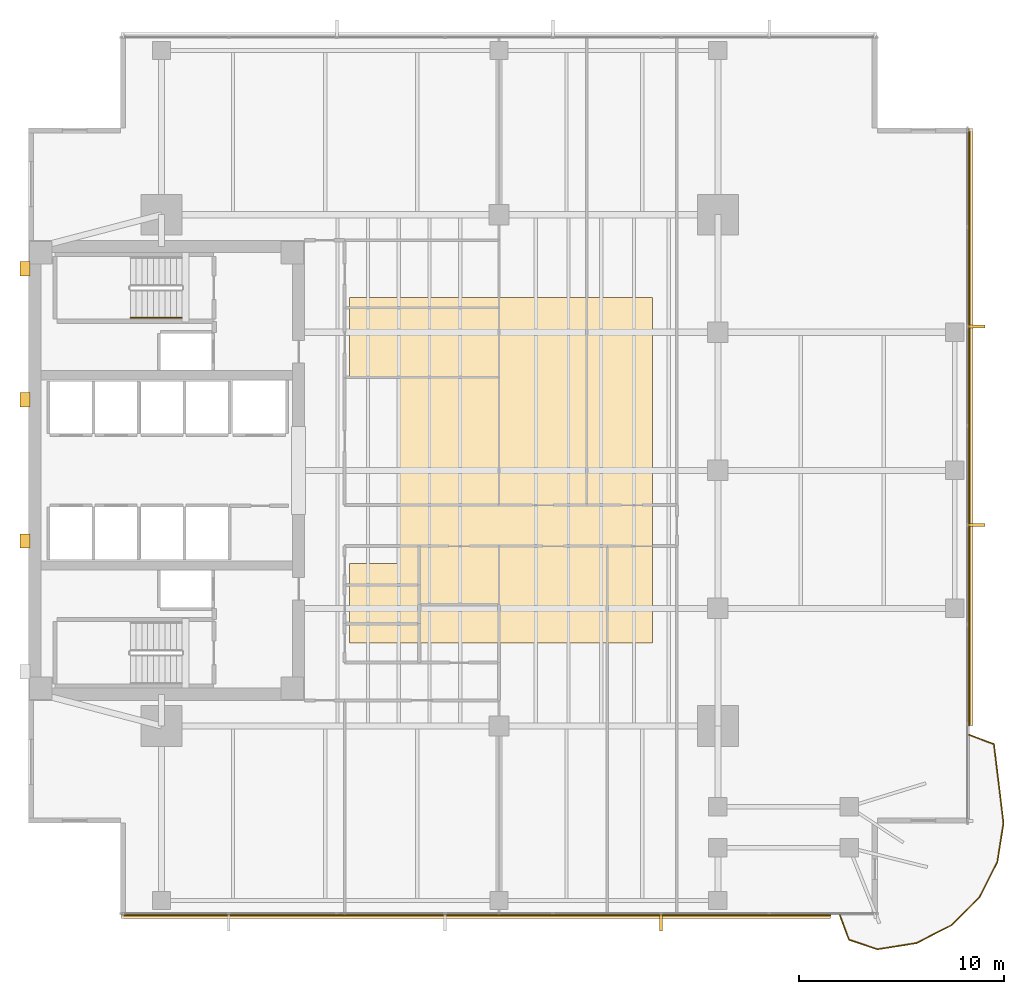
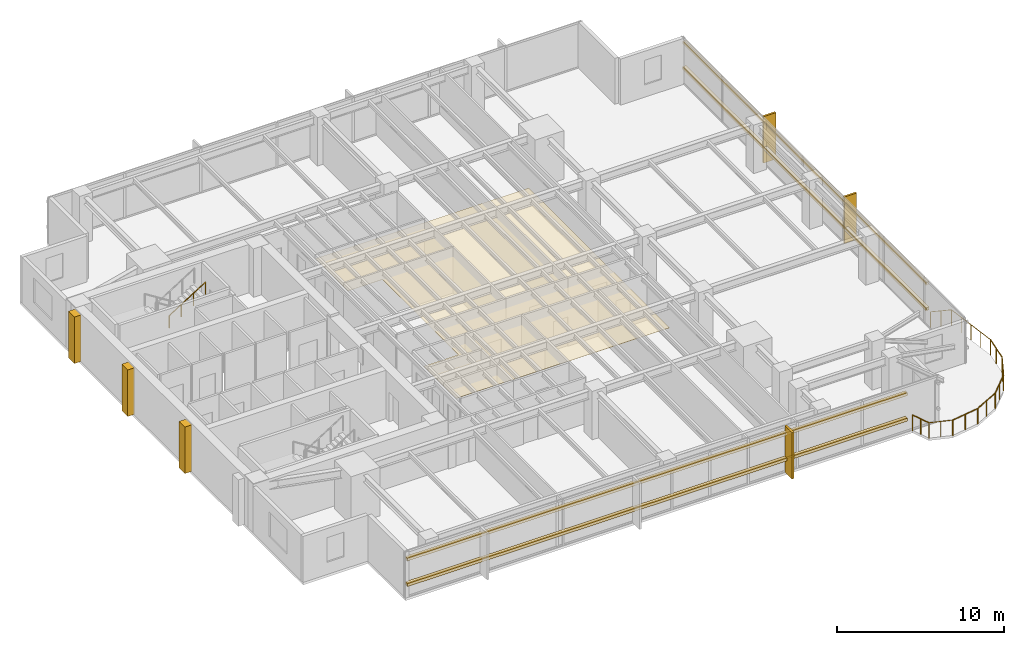
# One storey, part 12 of 14: 11 coverings, 10 railings, 4 shading devices.
"""IFC4 building model written with IfcOpenShell, lengths in metres."""

from ifc_helpers import new_model, si_unit, direction, frame, origin, origin_2d, place, context, subcontext, project, spatial, polyline, rectangle, circle, outline, extrude, material, layer, layer_set, material_profile, profile_set, type_object, element, save


model = new_model("IFC4")

# Units and contexts
model_context = context("Model", 3, precision=1e-05, world=origin(), true_north=direction((0.0, 1.0)))
body_context = subcontext(model_context, "Body", "Model", "MODEL_VIEW")
ifc_project = project(units=[si_unit("LENGTHUNIT", "METRE"), si_unit("AREAUNIT", "SQUARE_METRE"), si_unit("VOLUMEUNIT", "CUBIC_METRE"), si_unit("PLANEANGLEUNIT", "RADIAN"), si_unit("MASSUNIT", "GRAM", prefix="KILO")], contexts=[model_context])

# Site, building, storey
site_placement = place(None, origin())
site = spatial("IfcSite", under=ifc_project, at=site_placement, CompositionType="ELEMENT")
building_placement = place(site_placement, origin())
building = spatial("IfcBuilding", under=site, at=building_placement, Name="Kinhvarn Gate Tower", CompositionType="ELEMENT")
storey_placement = place(building_placement, frame((0.0, 0.0, 127.10009765625)))
storey = spatial("IfcBuildingStorey", under=building, at=storey_placement, Name="L33", CompositionType="ELEMENT", Elevation=127.10009765625)

# Coverings
ifc_material_1 = material(Name="Fired architectural terracotta", Category="masonry")
ifc_layer_1 = layer(ifc_material_1, 0.239990234375)
ifc_layer_set_1 = layer_set([ifc_layer_1], Name="Fired architectural terracotta")
covering_type_1 = type_object("IfcCoveringType", Name="COV-BAG-220", PredefinedType="CLADDING", material=ifc_layer_set_1)
for number, where, name in (
    (1, (0.0, 0.0, 0.93994140625), "Terracotta Horizontal Sunscreen Band TBG-220 (L33)"),
    (2, (0.0, 0.0, 2.809814453125), "Terracotta Horizontal Sunscreen Band TBG-220 (L33)"),
):
    element("IfcCovering", number, at=place(storey_placement, frame(where)), inside=storey, type_object=covering_type_1, Name=name, PredefinedType="CLADDING", context=body_context, shape_type="SweptSolid", body=[
        extrude(outline(polyline([(9.0400390625, 3.570068359375), (43.714111328125, 3.570068359375), (43.714111328125, 3.330078125), (9.0400390625, 3.330078125), (9.0400390625, 3.570068359375)])), origin(), (0.0, 0.0, 1.0), 0.219970703125),
    ])
for number, where, name in (
    (3, (0.0, 0.0, 0.93994140625), "Terracotta Horizontal Sunscreen Band TBG-220 (L33)"),
    (4, (0.0, 0.0, 2.809814453125), "Terracotta Horizontal Sunscreen Band TBG-220 (L33)"),
):
    element("IfcCovering", number, at=place(storey_placement, frame(where)), inside=storey, type_object=covering_type_1, Name=name, PredefinedType="CLADDING", context=body_context, shape_type="SweptSolid", body=[
        extrude(outline(polyline([(50.429931640625, 12.763916015625), (50.429931640625, 41.9599609375), (50.669921875, 41.9599609375), (50.669921875, 12.763916015625), (50.429931640625, 12.763916015625)])), origin(), (0.0, 0.0, 1.0), 0.219970703125),
    ])
ifc_material_2 = material(Name="Mineral-fibre acoustic ceiling tile")
ifc_layer_2 = layer(ifc_material_2, 0.02001953125)
ifc_layer_set_2 = layer_set([ifc_layer_2], Name="Mineral-fibre acoustic ceiling tile")
covering_type_2 = type_object("IfcCoveringType", Name="COV-CEIL-20", PredefinedType="CEILING", material=ifc_layer_set_2)
covering_1_placement = place(storey_placement, frame((0.0, 0.0, 2.64990234375)))
element("IfcCovering", 5, at=covering_1_placement, inside=storey, type_object=covering_type_2, Name="Suspended Acoustic Ceiling Tile (L33-1)", PredefinedType="CEILING", context=body_context, shape_type="SweptSolid", body=[
    extrude(outline(polyline([(35.0, 33.699951171875), (35.0, 16.800048828125), (20.199951171875, 16.800048828125), (20.199951171875, 20.699951171875), (22.60009765625, 20.699951171875), (22.60009765625, 29.800048828125), (20.199951171875, 29.800048828125), (20.199951171875, 33.699951171875), (35.0, 33.699951171875)])), origin(), (0.0, 0.0, 1.0), 0.02001953125),
])
ifc_layer_3 = layer(ifc_material_1, 0.139892578125)
ifc_layer_set_3 = layer_set([ifc_layer_3], Name="Fired architectural terracotta")
covering_type_3 = type_object("IfcCoveringType", Name="COV-FIN-850", PredefinedType="CLADDING", material=ifc_layer_set_3)
covering_2_placement = place(storey_placement, frame((0.0, 0.0, -0.02001953125)))
element("IfcCovering", 6, at=covering_2_placement, inside=storey, type_object=covering_type_3, Name="Vertical Terracotta Expressive Fin TFN-850 (L33)", PredefinedType="CLADDING", context=body_context, shape_type="SweptSolid", body=[
    extrude(outline(polyline([(35.358642578125, 3.580078125), (35.49853515625, 3.580078125), (35.49853515625, 2.72998046875), (35.358642578125, 2.72998046875), (35.358642578125, 3.580078125)])), origin(), (0.0, 0.0, 1.0), 3.409912109375),
])
covering_3_placement = place(storey_placement, frame((0.0, 0.0, -0.02001953125)))
element("IfcCovering", 7, at=covering_3_placement, inside=storey, type_object=covering_type_3, Name="Vertical Terracotta Expressive Fin TFN-850 (L33)", PredefinedType="CLADDING", context=body_context, shape_type="SweptSolid", body=[
    extrude(outline(polyline([(50.419921875, 22.50146484375), (50.419921875, 22.641357421875), (51.27001953125, 22.641357421875), (51.27001953125, 22.50146484375), (50.419921875, 22.50146484375)])), origin(), (0.0, 0.0, 1.0), 3.409912109375),
])
covering_4_placement = place(storey_placement, frame((0.0, 0.0, -0.02001953125)))
element("IfcCovering", 8, at=covering_4_placement, inside=storey, type_object=covering_type_3, Name="Vertical Terracotta Expressive Fin TFN-850 (L33)", PredefinedType="CLADDING", context=body_context, shape_type="SweptSolid", body=[
    extrude(outline(polyline([(50.419921875, 32.2158203125), (50.419921875, 32.355712890625), (51.27001953125, 32.355712890625), (51.27001953125, 32.2158203125), (50.419921875, 32.2158203125)])), origin(), (0.0, 0.0, 1.0), 3.409912109375),
])
ifc_material_3 = material(Name="Precast white architectural concrete C40/50", Category="concrete")
ifc_layer_4 = layer(ifc_material_3, 0.47998046875)
ifc_layer_set_4 = layer_set([ifc_layer_4], Name="Precast white architectural concrete C40/50")
covering_type_4 = type_object("IfcCoveringType", Name="COV-RIB-450", PredefinedType="CLADDING", material=ifc_layer_set_4)
covering_5_placement = place(storey_placement, frame((0.0, 0.0, -0.02001953125)))
element("IfcCovering", 9, at=covering_5_placement, inside=storey, type_object=covering_type_4, Name="West Core Sculptural Concrete Relief Rib CRB-450 (L33)", PredefinedType="CLADDING", context=body_context, shape_type="SweptSolid", body=[
    extrude(outline(polyline([(4.080078125, 21.449951171875), (4.56005859375, 21.449951171875), (4.56005859375, 22.14990234375), (4.080078125, 22.14990234375), (4.080078125, 21.449951171875)])), origin(), (0.0, 0.0, 1.0), 3.409912109375),
])
covering_6_placement = place(storey_placement, frame((0.0, 0.0, -0.02001953125)))
element("IfcCovering", 10, at=covering_6_placement, inside=storey, type_object=covering_type_4, Name="West Core Sculptural Concrete Relief Rib CRB-450 (L33)", PredefinedType="CLADDING", context=body_context, shape_type="SweptSolid", body=[
    extrude(outline(polyline([(4.080078125, 28.35009765625), (4.56005859375, 28.35009765625), (4.56005859375, 29.050048828125), (4.080078125, 29.050048828125), (4.080078125, 28.35009765625)])), origin(), (0.0, 0.0, 1.0), 3.409912109375),
])
covering_7_placement = place(storey_placement, frame((0.0, 0.0, -0.02001953125)))
element("IfcCovering", 11, at=covering_7_placement, inside=storey, type_object=covering_type_4, Name="West Core Sculptural Concrete Relief Rib CRB-450 (L33)", PredefinedType="CLADDING", context=body_context, shape_type="SweptSolid", body=[
    extrude(outline(polyline([(4.080078125, 34.75), (4.56005859375, 34.75), (4.56005859375, 35.449951171875), (4.080078125, 35.449951171875), (4.080078125, 34.75)])), origin(), (0.0, 0.0, 1.0), 3.409912109375),
])

# Railings
ifc_material_4 = material(Name="Clear low-e double glazing", Category="glass")
railing_type_1 = type_object("IfcRailingType", Name="RL-BAL-1150", PredefinedType="BALUSTRADE", material=ifc_material_4)
railing_1_placement = place(storey_placement, frame((44.1640625, 3.5, 0.0)))
element("IfcRailing", 12, at=railing_1_placement, inside=storey, type_object=railing_type_1, Name="S-Carve Balcony Guardrail Seg 1 (L33)", PredefinedType="BALUSTRADE", context=body_context, shape_type="SweptSolid", body=[
    extrude(circle(Radius=0.02392578125, at=origin_2d()), frame((0.0, 0.0, 1.1259765625), z_axis=(0.350664670144, -0.936501088687, 0.0), x_axis=(0.936501088687, 0.350664670144, 0.0)), (0.0, 0.0, 1.0), 1.283203125),
    extrude(circle(Radius=0.02099609375, at=origin_2d()), origin(), (0.0, 0.0, 1.0), 1.101806640625),
    extrude(circle(Radius=0.02099609375, at=origin_2d()), frame((0.22509765625, -0.600830078125, 0.0)), (0.0, 0.0, 1.0), 1.101806640625),
    extrude(circle(Radius=0.02099609375, at=origin_2d()), frame((0.449951171875, -1.20166015625, 0.0)), (0.0, 0.0, 1.0), 1.101806640625),
])
railing_2_placement = place(storey_placement, frame((44.614013671875, 2.29833984375, 0.0)))
element("IfcRailing", 13, at=railing_2_placement, inside=storey, type_object=railing_type_1, Name="S-Carve Balcony Guardrail Seg 2 (L33)", PredefinedType="BALUSTRADE", context=body_context, shape_type="SweptSolid", body=[
    extrude(circle(Radius=0.02392578125, at=origin_2d()), frame((0.0, 0.0, 1.1259765625), z_axis=(0.947592748159, -0.319480803237, 0.0), x_axis=(0.319480803237, 0.947592748159, 0.0)), (0.0, 0.0, 1.0), 1.462646484375),
    extrude(circle(Radius=0.02099609375, at=origin_2d()), origin(), (0.0, 0.0, 1.0), 1.101806640625),
    extrude(circle(Radius=0.02099609375, at=origin_2d()), frame((0.69287109375, -0.233642578125, 0.0)), (0.0, 0.0, 1.0), 1.101806640625),
    extrude(circle(Radius=0.02099609375, at=origin_2d()), frame((1.385986328125, -0.46728515625, 0.0)), (0.0, 0.0, 1.0), 1.101806640625),
])
railing_3_placement = place(storey_placement, frame((46.0, 1.8310546875, 0.0)))
element("IfcRailing", 14, at=railing_3_placement, inside=storey, type_object=railing_type_1, Name="S-Carve Balcony Guardrail Seg 3 (L33)", PredefinedType="BALUSTRADE", context=body_context, shape_type="SweptSolid", body=[
    extrude(circle(Radius=0.02392578125, at=origin_2d()), frame((0.0, 0.0, 1.1259765625), z_axis=(0.987701348558, 0.156352313885, 0.0), x_axis=(-0.156352313885, 0.987701348558, 0.0)), (0.0, 0.0, 1.0), 1.929931640625),
    extrude(circle(Radius=0.02099609375, at=origin_2d()), origin(), (0.0, 0.0, 1.0), 1.101806640625),
    extrude(circle(Radius=0.02099609375, at=origin_2d()), frame((0.953125, 0.15087890625, 0.0)), (0.0, 0.0, 1.0), 1.101806640625),
    extrude(circle(Radius=0.02099609375, at=origin_2d()), frame((1.90625, 0.3017578125, 0.0)), (0.0, 0.0, 1.0), 1.101806640625),
])
railing_4_placement = place(storey_placement, frame((47.90625, 2.1328125, 0.0)))
element("IfcRailing", 15, at=railing_4_placement, inside=storey, type_object=railing_type_1, Name="S-Carve Balcony Guardrail Seg 4 (L33)", PredefinedType="BALUSTRADE", context=body_context, shape_type="SweptSolid", body=[
    extrude(circle(Radius=0.02392578125, at=origin_2d()), frame((0.0, 0.0, 1.1259765625), z_axis=(0.890960331875, 0.454081145859, 0.0), x_axis=(-0.454081145859, 0.890960331875, 0.0)), (0.0, 0.0, 1.0), 1.93017578125),
    extrude(circle(Radius=0.02099609375, at=origin_2d()), origin(), (0.0, 0.0, 1.0), 1.101806640625),
    extrude(circle(Radius=0.02099609375, at=origin_2d()), frame((0.85986328125, 0.438232421875, 0.0)), (0.0, 0.0, 1.0), 1.101806640625),
    extrude(circle(Radius=0.02099609375, at=origin_2d()), frame((1.7197265625, 0.87646484375, 0.0)), (0.0, 0.0, 1.0), 1.101806640625),
])
railing_5_placement = place(storey_placement, frame((49.6259765625, 3.00927734375, 0.0)))
element("IfcRailing", 16, at=railing_5_placement, inside=storey, type_object=railing_type_1, Name="S-Carve Balcony Guardrail Seg 5 (L33)", PredefinedType="BALUSTRADE", context=body_context, shape_type="SweptSolid", body=[
    extrude(circle(Radius=0.02392578125, at=origin_2d()), frame((0.0, 0.0, 1.1259765625), z_axis=(0.707106781187, 0.707106781187, 0.0), x_axis=(-0.707106781187, 0.707106781187, 0.0)), (0.0, 0.0, 1.0), 1.929931640625),
    extrude(circle(Radius=0.02099609375, at=origin_2d()), origin(), (0.0, 0.0, 1.0), 1.101806640625),
    extrude(circle(Radius=0.02099609375, at=origin_2d()), frame((0.682373046875, 0.682373046875, 0.0)), (0.0, 0.0, 1.0), 1.101806640625),
    extrude(circle(Radius=0.02099609375, at=origin_2d()), frame((1.36474609375, 1.36474609375, 0.0)), (0.0, 0.0, 1.0), 1.101806640625),
])
railing_6_placement = place(storey_placement, frame((50.99072265625, 4.3740234375, 0.0)))
element("IfcRailing", 17, at=railing_6_placement, inside=storey, type_object=railing_type_1, Name="S-Carve Balcony Guardrail Seg 6 (L33)", PredefinedType="BALUSTRADE", context=body_context, shape_type="SweptSolid", body=[
    extrude(circle(Radius=0.02392578125, at=origin_2d()), frame((0.0, 0.0, 1.1259765625), z_axis=(0.454081145859, 0.890960331875, 0.0), x_axis=(-0.890960331875, 0.454081145859, 0.0)), (0.0, 0.0, 1.0), 1.93017578125),
    extrude(circle(Radius=0.02099609375, at=origin_2d()), origin(), (0.0, 0.0, 1.0), 1.101806640625),
    extrude(circle(Radius=0.02099609375, at=origin_2d()), frame((0.438232421875, 0.85986328125, 0.0)), (0.0, 0.0, 1.0), 1.101806640625),
    extrude(circle(Radius=0.02099609375, at=origin_2d()), frame((0.87646484375, 1.7197265625, 0.0)), (0.0, 0.0, 1.0), 1.101806640625),
])
railing_7_placement = place(storey_placement, frame((51.8671875, 6.09375, 0.0)))
element("IfcRailing", 18, at=railing_7_placement, inside=storey, type_object=railing_type_1, Name="S-Carve Balcony Guardrail Seg 7 (L33)", PredefinedType="BALUSTRADE", context=body_context, shape_type="SweptSolid", body=[
    extrude(circle(Radius=0.02392578125, at=origin_2d()), frame((0.0, 0.0, 1.1259765625), z_axis=(0.156352313885, 0.987701348558, 0.0), x_axis=(-0.987701348558, 0.156352313885, 0.0)), (0.0, 0.0, 1.0), 1.929931640625),
    extrude(circle(Radius=0.02099609375, at=origin_2d()), origin(), (0.0, 0.0, 1.0), 1.101806640625),
    extrude(circle(Radius=0.02099609375, at=origin_2d()), frame((0.15087890625, 0.953125, 0.0)), (0.0, 0.0, 1.0), 1.101806640625),
    extrude(circle(Radius=0.02099609375, at=origin_2d()), frame((0.3017578125, 1.90625, 0.0)), (0.0, 0.0, 1.0), 1.101806640625),
])
railing_8_placement = place(storey_placement, frame((52.1689453125, 8.0, 0.0)))
element("IfcRailing", 19, at=railing_8_placement, inside=storey, type_object=railing_type_1, Name="S-Carve Balcony Guardrail Seg 8 (L33)", PredefinedType="BALUSTRADE", context=body_context, shape_type="SweptSolid", body=[
    extrude(circle(Radius=0.02392578125, at=origin_2d()), frame((0.0, 0.0, 1.1259765625), z_axis=(-0.120057865553, 0.99276689556, 0.0), x_axis=(-0.99276689556, -0.120057865553, 0.0)), (0.0, 0.0, 1.0), 3.89208984375),
    extrude(circle(Radius=0.02099609375, at=origin_2d()), origin(), (0.0, 0.0, 1.0), 1.101806640625),
    extrude(circle(Radius=0.02099609375, at=origin_2d()), frame((-0.11669921875, 0.966064453125, 0.0)), (0.0, 0.0, 1.0), 1.101806640625),
    extrude(circle(Radius=0.02099609375, at=origin_2d()), frame((-0.233642578125, 1.93212890625, 0.0)), (0.0, 0.0, 1.0), 1.101806640625),
    extrude(circle(Radius=0.02099609375, at=origin_2d()), frame((-0.3505859375, 2.89794921875, 0.0)), (0.0, 0.0, 1.0), 1.101806640625),
    extrude(circle(Radius=0.02099609375, at=origin_2d()), frame((-0.46728515625, 3.864013671875, 0.0)), (0.0, 0.0, 1.0), 1.101806640625),
])
railing_9_placement = place(storey_placement, frame((51.70166015625, 11.864013671875, 0.0)))
element("IfcRailing", 20, at=railing_9_placement, inside=storey, type_object=railing_type_1, Name="S-Carve Balcony Guardrail Seg 9 (L33)", PredefinedType="BALUSTRADE", context=body_context, shape_type="SweptSolid", body=[
    extrude(circle(Radius=0.02392578125, at=origin_2d()), frame((0.0, 0.0, 1.1259765625), z_axis=(-0.936501088687, 0.350664670144, 0.0), x_axis=(-0.350664670144, -0.936501088687, 0.0)), (0.0, 0.0, 1.0), 1.283203125),
    extrude(circle(Radius=0.02099609375, at=origin_2d()), origin(), (0.0, 0.0, 1.0), 1.101806640625),
    extrude(circle(Radius=0.02099609375, at=origin_2d()), frame((-0.600830078125, 0.22509765625, 0.0)), (0.0, 0.0, 1.0), 1.101806640625),
    extrude(circle(Radius=0.02099609375, at=origin_2d()), frame((-1.20166015625, 0.449951171875, 0.0)), (0.0, 0.0, 1.0), 1.101806640625),
])
ifc_material_5 = material(Name="Steel S355", Category="steel")
railing_type_2 = type_object("IfcRailingType", Name="RL-ST-HND", PredefinedType="HANDRAIL", material=ifc_material_5)
railing_10_placement = place(storey_placement, frame((9.47998046875, 32.699951171875, 1.952392578125)))
element("IfcRailing", 21, at=railing_10_placement, inside=storey, type_object=railing_type_2, Name="L33 ST2 stair handrail 2", PredefinedType="HANDRAIL", context=body_context, shape_type="SweptSolid", body=[
    extrude(circle(Radius=0.02392578125, at=origin_2d()), frame((0.0, 0.0, 0.8759765625), z_axis=(0.84460694969, 0.0, 0.535386869969), x_axis=(0.0, 1.0, 0.0)), (0.0, 0.0, 1.0), 2.983642578125),
    extrude(circle(Radius=0.02099609375, at=origin_2d()), origin(), (0.0, 0.0, 1.0), 0.851806640625),
    extrude(circle(Radius=0.02099609375, at=origin_2d()), frame((0.840087890625, 0.0, 0.532470703125)), (0.0, 0.0, 1.0), 0.851806640625),
    extrude(circle(Radius=0.02099609375, at=origin_2d()), frame((1.679931640625, 0.0, 1.06494140625)), (0.0, 0.0, 1.0), 0.851806640625),
    extrude(circle(Radius=0.02099609375, at=origin_2d()), frame((2.52001953125, 0.0, 1.597412109375)), (0.0, 0.0, 1.0), 0.851806640625),
])

# Shading devices
ifc_material_profile = material_profile(ifc_material_1, rectangle(XDim=0.050048828125, YDim=0.1201171875, at=origin_2d()), Name="TC 50x120")
ifc_profile_set = profile_set([ifc_material_profile], Name="Fired architectural terracotta")
shading_device_type = type_object("IfcShadingDeviceType", Name="SHD-BAG-140", PredefinedType="USERDEFINED", material=ifc_profile_set)
for number, where, z_axis, x_axis, name in (
    (22, (9.0400390625, 3.5, 1.0498046875), (1.0, 0.0, 0.0), (0.0, 1.0, 0.0), "Upper Tower Terracotta Baguette Screen Rod 50x120 mm (L33)"),
    (23, (9.0400390625, 3.5, 2.919921875), (1.0, 0.0, 0.0), (0.0, 1.0, 0.0), "Upper Tower Terracotta Baguette Screen Rod 50x120 mm (L33)"),
):
    element("IfcShadingDevice", number, at=place(storey_placement, frame(where, z_axis=z_axis, x_axis=x_axis)), inside=storey, type_object=shading_device_type, Name=name, ObjectType="BAGUETTE", PredefinedType="USERDEFINED", context=body_context, shape_type="SweptSolid", body=[
        extrude(rectangle(XDim=0.050048828125, YDim=0.1201171875, at=origin_2d()), origin(), (0.0, 0.0, 1.0), 34.674072265625),
    ])
for number, where, z_axis, x_axis, name in (
    (24, (50.5, 12.763916015625, 1.0498046875), (0.0, 1.0, 0.0), (-1.0, 0.0, 0.0), "Upper Tower Terracotta Baguette Screen Rod 50x120 mm (L33)"),
    (25, (50.5, 12.763916015625, 2.919921875), (0.0, 1.0, 0.0), (-1.0, 0.0, 0.0), "Upper Tower Terracotta Baguette Screen Rod 50x120 mm (L33)"),
):
    element("IfcShadingDevice", number, at=place(storey_placement, frame(where, z_axis=z_axis, x_axis=x_axis)), inside=storey, type_object=shading_device_type, Name=name, ObjectType="BAGUETTE", PredefinedType="USERDEFINED", context=body_context, shape_type="SweptSolid", body=[
        extrude(rectangle(XDim=0.050048828125, YDim=0.1201171875, at=origin_2d()), origin(), (0.0, 0.0, 1.0), 29.196044921875),
    ])

save(model, "model.ifc")
